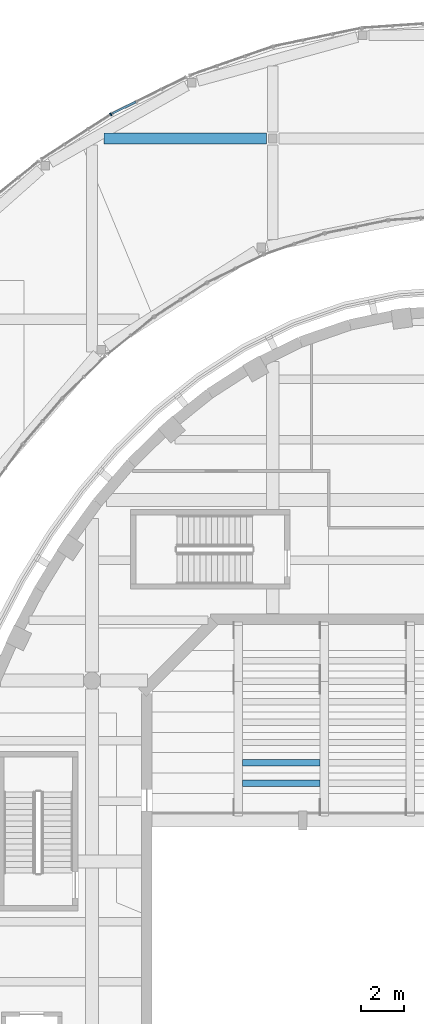
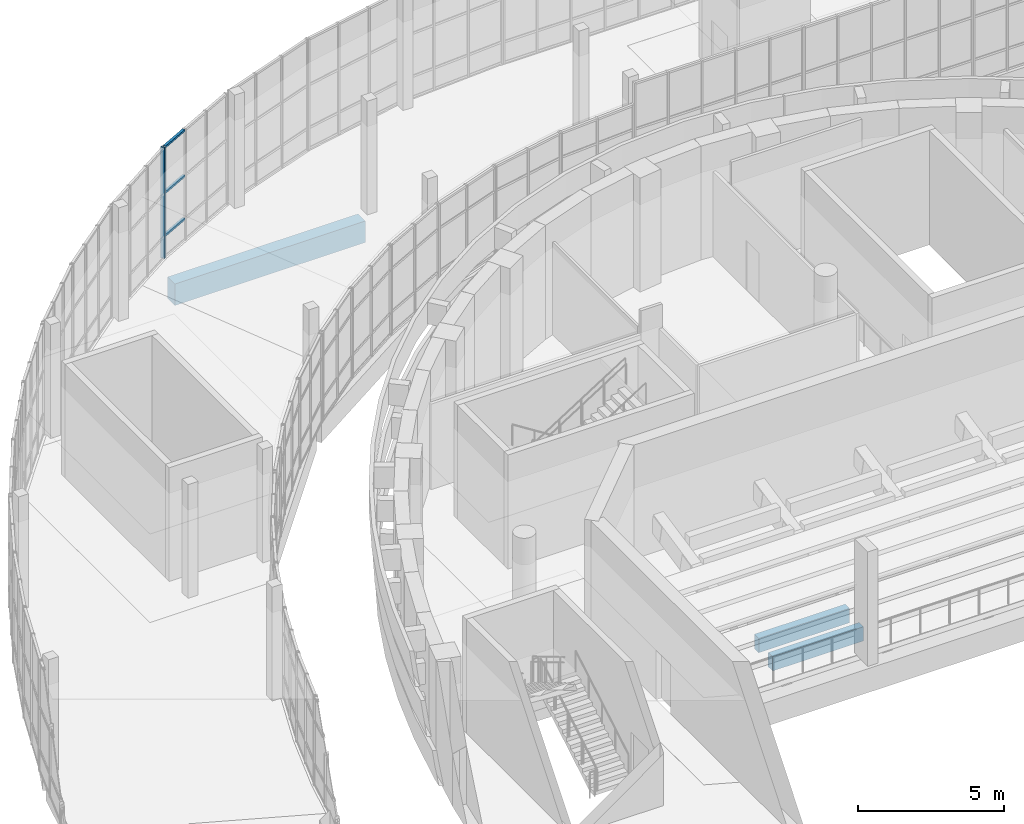
# One storey, part 21 of 103: 4 members, 3 beams, 2 elements without a shape of their own.
"""IFC4 building model written with IfcOpenShell, lengths in metres."""

from ifc_helpers import new_model, si_unit, direction, frame, origin, origin_2d, place, context, subcontext, project, spatial, rectangle, extrude, material, layer, layer_set, material_profile, profile_set, type_object, element, aggregate, save


model = new_model("IFC4")

# Units and contexts
model_context = context("Model", 3, precision=1e-05, world=origin(), true_north=direction((0.0, 1.0)))
body_context = subcontext(model_context, "Body", "Model", "MODEL_VIEW")
ifc_project = project(units=[si_unit("LENGTHUNIT", "METRE"), si_unit("AREAUNIT", "SQUARE_METRE"), si_unit("VOLUMEUNIT", "CUBIC_METRE"), si_unit("PLANEANGLEUNIT", "RADIAN"), si_unit("MASSUNIT", "GRAM", prefix="KILO")], contexts=[model_context])

# Site, building, storey
site_placement = place(None, origin())
site = spatial("IfcSite", under=ifc_project, at=site_placement, CompositionType="ELEMENT")
building_placement = place(site_placement, origin())
building = spatial("IfcBuilding", under=site, at=building_placement, Name="Larchfold Concert Hall", CompositionType="ELEMENT")
storey_placement = place(building_placement, frame((0.0, 0.0, 9.60009765625)))
storey = spatial("IfcBuildingStorey", under=building, at=storey_placement, Name="L02", CompositionType="ELEMENT", Elevation=9.60009765625)

# Curtain wall, member
ifc_material_1 = material(Name="Anodised graphite aluminium curtain wall", Category="aluminium")
ifc_layer = layer(ifc_material_1, 0.14990234375)
ifc_layer_set = layer_set([ifc_layer], Name="Anodised graphite aluminium curtain wall")
curtain_wall_type = type_object("IfcCurtainWallType", Name="Curtain wall WG", PredefinedType="NOTDEFINED", material=ifc_layer_set)
curtain_wall_1_placement = place(storey_placement, origin())
curtain_wall_1 = element("IfcCurtainWall", 1, at=curtain_wall_1_placement, inside=storey, type_object=curtain_wall_type, Name="Curtain wall CW0259", PredefinedType="NOTDEFINED")
ifc_material_2 = material(Name="Anodised graphite aluminium mullion", Category="aluminium")
ifc_material_profile_1 = material_profile(ifc_material_2, rectangle(XDim=0.14990234375, YDim=0.06005859375, at=origin_2d()))
ifc_profile_set_1 = profile_set([ifc_material_profile_1], Name="Anodised graphite aluminium mullion")
member_type_1 = type_object("IfcMemberType", Name="Aluminium mullion 60x150", PredefinedType="MULLION", material=ifc_profile_set_1)
member_1_placement = place(storey_placement, frame((26.67236328125, 127.724609375, 0.0), z_axis=(0.0, 0.0, 1.0), x_axis=(0.541790679847, -0.840513449762, 0.0)))
member_1 = element("IfcMember", 2, at=member_1_placement, type_object=member_type_1, Name="CW0259 mullion 1", PredefinedType="MULLION", context=body_context, shape_type="SweptSolid", body=[
    extrude(rectangle(XDim=0.14990234375, YDim=0.06005859375, at=origin_2d()), origin(), (0.0, 0.0, 1.0), 4.64990234375),
])
aggregate(curtain_wall_1, [member_1])

# Curtain wall, members
curtain_wall_2_placement = place(storey_placement, origin())
curtain_wall_2 = element("IfcCurtainWall", 3, at=curtain_wall_2_placement, inside=storey, type_object=curtain_wall_type, Name="Curtain wall CW0258", PredefinedType="NOTDEFINED")
ifc_material_3 = material(Name="Anodised graphite aluminium transom", Category="aluminium")
ifc_material_profile_2 = material_profile(ifc_material_3, rectangle(XDim=0.10009765625, YDim=0.080078125, at=origin_2d()))
ifc_profile_set_2 = profile_set([ifc_material_profile_2], Name="Anodised graphite aluminium transom")
member_type_2 = type_object("IfcMemberType", Name="Aluminium transom 80x100", PredefinedType="USERDEFINED", material=ifc_profile_set_2)
member_2_placement = place(storey_placement, frame((27.834228515625, 128.3017578125, 0.89990234375), z_axis=(-0.896840107572, -0.44235485919, 0.0), x_axis=(0.44235485919, -0.896840107572, 0.0)))
member_2 = element("IfcMember", 4, at=member_2_placement, type_object=member_type_2, Name="CW0258 transom 3.2", ObjectType="TRANSOM", PredefinedType="USERDEFINED", context=body_context, shape_type="SweptSolid", body=[
    extrude(rectangle(XDim=0.10009765625, YDim=0.080078125, at=origin_2d()), origin(), (0.0, 0.0, 1.0), 1.20751953125),
])
member_3_placement = place(storey_placement, frame((27.834228515625, 128.3017578125, 2.699951171875), z_axis=(-0.896840107572, -0.44235485919, 0.0), x_axis=(0.44235485919, -0.896840107572, 0.0)))
member_3 = element("IfcMember", 5, at=member_3_placement, type_object=member_type_2, Name="CW0258 transom 3.3", ObjectType="TRANSOM", PredefinedType="USERDEFINED", context=body_context, shape_type="SweptSolid", body=[
    extrude(rectangle(XDim=0.10009765625, YDim=0.080078125, at=origin_2d()), origin(), (0.0, 0.0, 1.0), 1.20751953125),
])
member_4_placement = place(storey_placement, frame((27.834228515625, 128.3017578125, 4.60986328125), z_axis=(-0.896840107572, -0.44235485919, 0.0), x_axis=(0.44235485919, -0.896840107572, 0.0)))
member_4 = element("IfcMember", 6, at=member_4_placement, type_object=member_type_2, Name="CW0258 transom 3.4", ObjectType="TRANSOM", PredefinedType="USERDEFINED", context=body_context, shape_type="SweptSolid", body=[
    extrude(rectangle(XDim=0.10009765625, YDim=0.080078125, at=origin_2d()), origin(), (0.0, 0.0, 1.0), 1.20751953125),
])
aggregate(curtain_wall_2, [member_2, member_3, member_4])

# Beams
ifc_material_4 = material(Name="Concrete C35/45", Category="concrete")
ifc_material_profile_3 = material_profile(ifc_material_4, rectangle(XDim=0.300048828125, YDim=0.60009765625, at=origin_2d()))
ifc_profile_set_3 = profile_set([ifc_material_profile_3], Name="Concrete C35/45")
beam_type_1 = type_object("IfcBeamType", Name="Beam RC 300x600", PredefinedType="BEAM", material=ifc_profile_set_3)
for number, where, z_axis, x_axis, name in (
    (7, (32.800048828125, 96.625, -0.208984375), (1.0, 0.0, 0.0), (0.0, 1.0, 0.0), "Beam B1722"),
    (8, (32.800048828125, 97.5751953125, -0.01806640625), (1.0, 0.0, 0.0), (0.0, 1.0, 0.0), "Beam B1727"),
):
    element("IfcBeam", number, at=place(storey_placement, frame(where, z_axis=z_axis, x_axis=x_axis)), inside=storey, type_object=beam_type_1, Name=name, PredefinedType="BEAM", context=body_context, shape_type="SweptSolid", body=[
        extrude(rectangle(XDim=0.300048828125, YDim=0.60009765625, at=origin_2d()), origin(), (0.0, 0.0, 1.0), 3.599853515625),
    ])
ifc_material_5 = material(Name="Concrete C35/45", Category="concrete")
ifc_material_profile_4 = material_profile(ifc_material_5, rectangle(XDim=0.5, YDim=0.89990234375, at=origin_2d()))
ifc_profile_set_4 = profile_set([ifc_material_profile_4], Name="Concrete C35/45")
beam_type_2 = type_object("IfcBeamType", Name="Beam RC 500x900", PredefinedType="BEAM", material=ifc_profile_set_4)
beam_placement = place(storey_placement, frame((26.355712890625, 126.60009765625, -0.60009765625), z_axis=(1.0, 0.0, 0.0), x_axis=(0.0, 1.0, 0.0)))
element("IfcBeam", 9, at=beam_placement, inside=storey, type_object=beam_type_2, Name="Beam B1999", PredefinedType="BEAM", context=body_context, shape_type="SweptSolid", body=[
    extrude(rectangle(XDim=0.5, YDim=0.89990234375, at=origin_2d()), origin(), (0.0, 0.0, 1.0), 7.545654296875),
])

save(model, "model.ifc")
